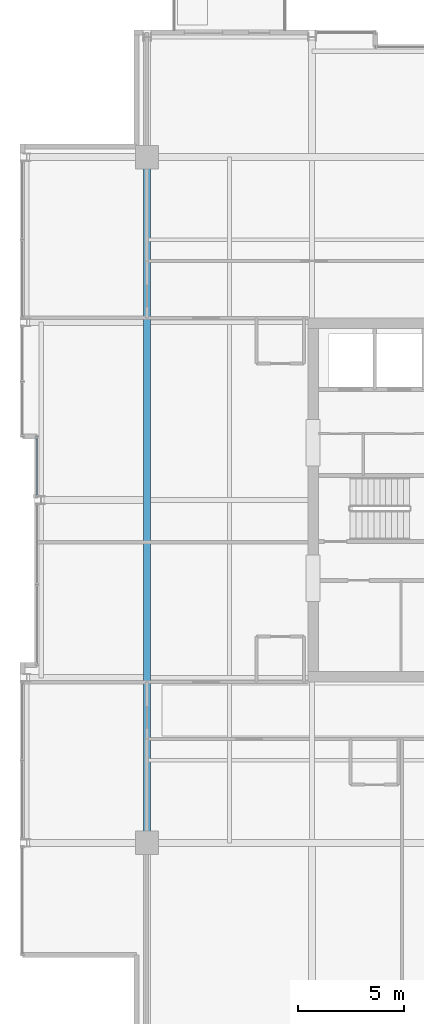
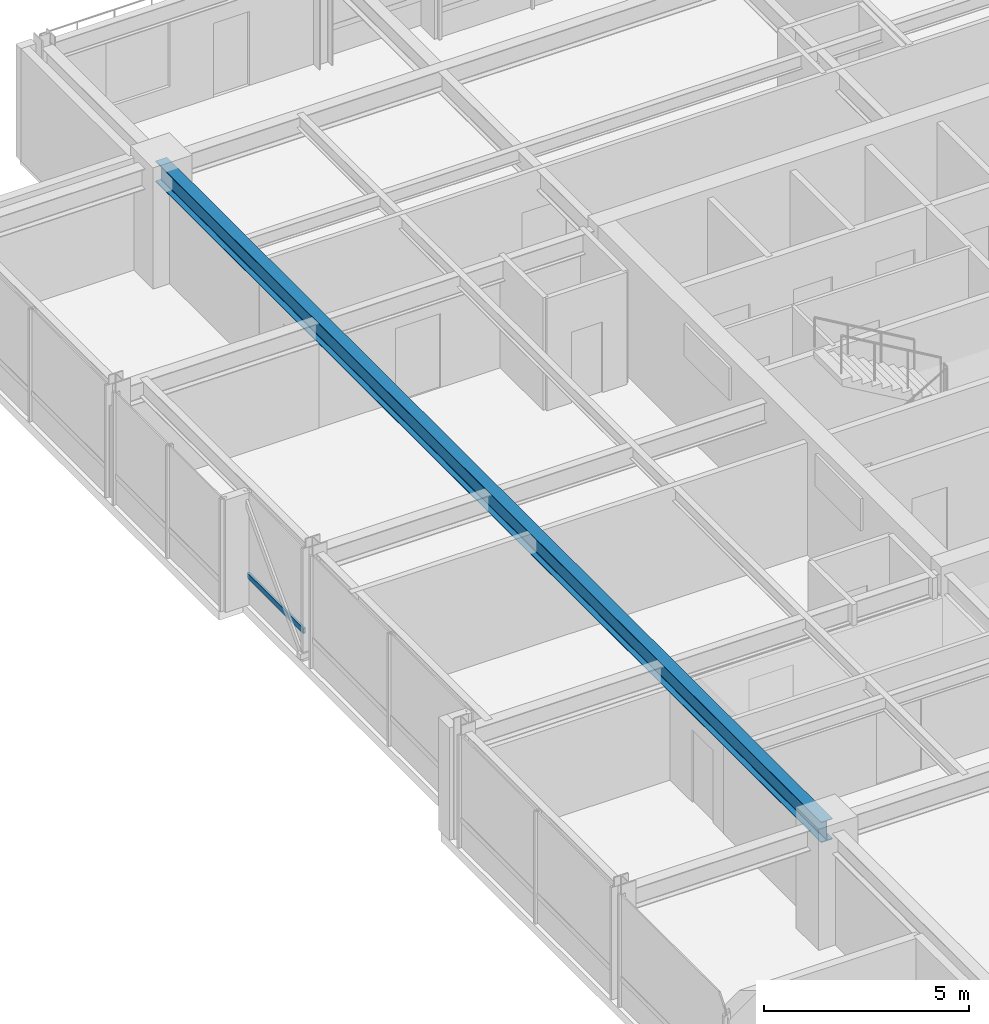
# One storey, part 9 of 31: 1 beam, 1 member, 1 element without a shape of its own.
"""IFC4 building model written with IfcOpenShell, lengths in metres."""

from ifc_helpers import new_model, si_unit, direction, frame, origin, origin_2d, place, context, subcontext, project, spatial, hollow_rectangle, i_section, extrude, material, layer, layer_set, material_profile, profile_set, type_object, element, aggregate, save


model = new_model("IFC4")

# Units and contexts
model_context = context("Model", 3, precision=1e-05, world=origin(), true_north=direction((0.0, 1.0)))
body_context = subcontext(model_context, "Body", "Model", "MODEL_VIEW")
ifc_project = project(units=[si_unit("LENGTHUNIT", "METRE"), si_unit("AREAUNIT", "SQUARE_METRE"), si_unit("VOLUMEUNIT", "CUBIC_METRE"), si_unit("PLANEANGLEUNIT", "RADIAN"), si_unit("MASSUNIT", "GRAM", prefix="KILO")], contexts=[model_context])

# Site, building, storey
site_placement = place(None, origin())
site = spatial("IfcSite", under=ifc_project, at=site_placement, CompositionType="ELEMENT")
building_placement = place(site_placement, origin())
building = spatial("IfcBuilding", under=site, at=building_placement, Name="Drelvath Grand Hotel", CompositionType="ELEMENT")
storey_placement = place(building_placement, frame((0.0, 0.0, 219.5)))
storey = spatial("IfcBuildingStorey", under=building, at=storey_placement, Name="L57", CompositionType="ELEMENT", Elevation=219.5)

# Curtain wall, member
ifc_material_1 = material(Name="Platinum-Mist Anodised Aluminium Frame", Category="aluminium")
ifc_layer = layer(ifc_material_1, 0.199951171875)
ifc_layer_set = layer_set([ifc_layer], Name="Platinum-Mist Anodised Aluminium Frame")
curtain_wall_type = type_object("IfcCurtainWallType", Name="Stick Curtain Wall CW-05 Platinum Mist High-Rise", PredefinedType="NOTDEFINED", material=ifc_layer_set)
curtain_wall_placement = place(storey_placement, origin())
curtain_wall = element("IfcCurtainWall", 1, at=curtain_wall_placement, inside=storey, type_object=curtain_wall_type, Name="L57 CW-05 Curtain Wall CW05-L57-WM2", PredefinedType="NOTDEFINED")
ifc_material_profile_1 = material_profile(ifc_material_1, hollow_rectangle(XDim=0.06494140625, YDim=0.159912109375, WallThickness=0.00390625, at=origin_2d()), Name="HSS160X65X4")
ifc_profile_set_1 = profile_set([ifc_material_profile_1], Name="Platinum-Mist Anodised Aluminium Frame")
member_type = type_object("IfcMemberType", Name="Curtain Wall Horizontal Transom CW-05 HSS160X65X4", PredefinedType="USERDEFINED", material=ifc_profile_set_1)
member_placement = place(storey_placement, frame((-21.39990234375, 27.225341796875, 0.8349609375), z_axis=(0.0, 1.0, 0.0), x_axis=(-1.0, 0.0, 0.0)))
member = element("IfcMember", 2, at=member_placement, type_object=member_type, Name="CW05-L57-WM2 Sill Transom", ObjectType="TRANSOM", PredefinedType="USERDEFINED", context=body_context, shape_type="SweptSolid", body=[
    extrude(hollow_rectangle(XDim=0.06494140625, YDim=0.159912109375, WallThickness=0.00390625, at=origin_2d()), origin(), (0.0, 0.0, 1.0), 2.734619140625),
])
aggregate(curtain_wall, [member])

# Beam
ifc_material_2 = material(Name="Steel ASTM A992 Gr 50", Category="steel")
ifc_material_profile_2 = material_profile(ifc_material_2, i_section(OverallWidth=0.323974609375, OverallDepth=0.611083984375, WebThickness=0.0126953125, FlangeThickness=0.01904296875, FilletRadius=0.02197265625, at=origin_2d()), Name="W24X104")
ifc_profile_set_2 = profile_set([ifc_material_profile_2], Name="Steel ASTM A992 Gr 50")
beam_type = type_object("IfcBeamType", Name="Primary Floor Girder W24X104", PredefinedType="BEAM", material=ifc_profile_set_2)
beam_placement = place(storey_placement, frame((-16.199951171875, 10.800048828125, 3.034423828125), z_axis=(0.0, 1.0, 0.0), x_axis=(-1.0, 0.0, 0.0)))
element("IfcBeam", 3, at=beam_placement, inside=storey, type_object=beam_type, Name="L57 Mega Ring Girder West", PredefinedType="BEAM", context=body_context, shape_type="SweptSolid", body=[
    extrude(i_section(OverallWidth=0.323974609375, OverallDepth=0.611083984375, WebThickness=0.0126953125, FlangeThickness=0.01904296875, FilletRadius=0.02197265625, at=origin_2d()), origin(), (0.0, 0.0, 1.0), 32.39990234375),
])

save(model, "model.ifc")
